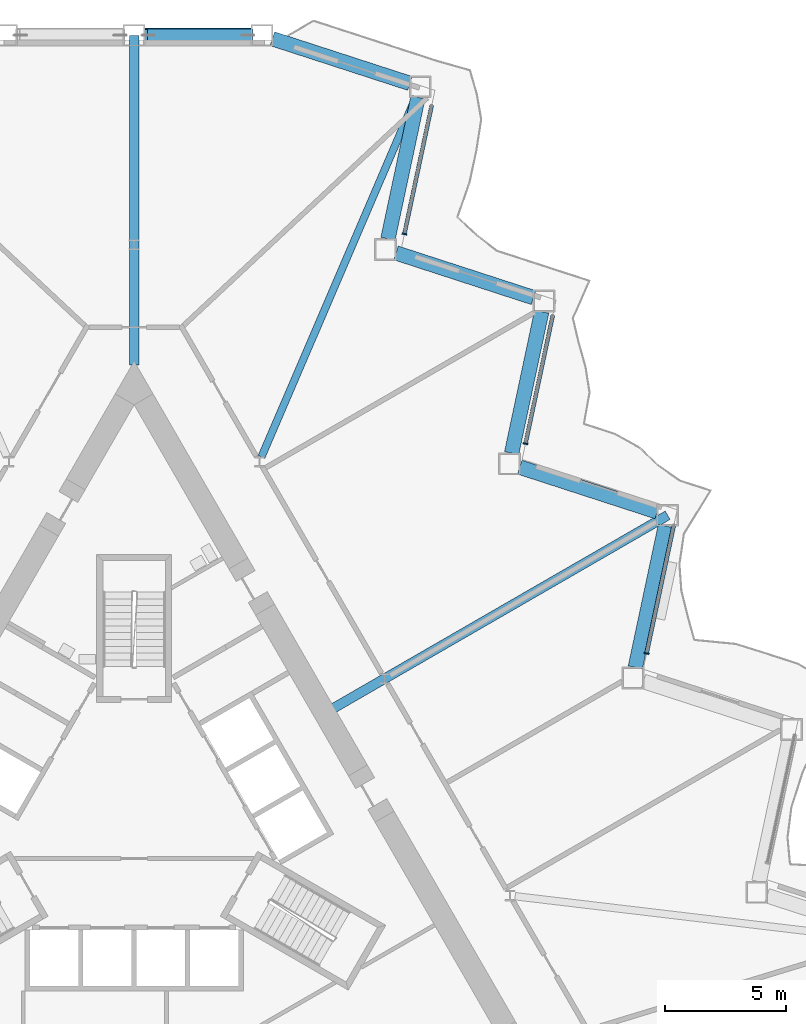
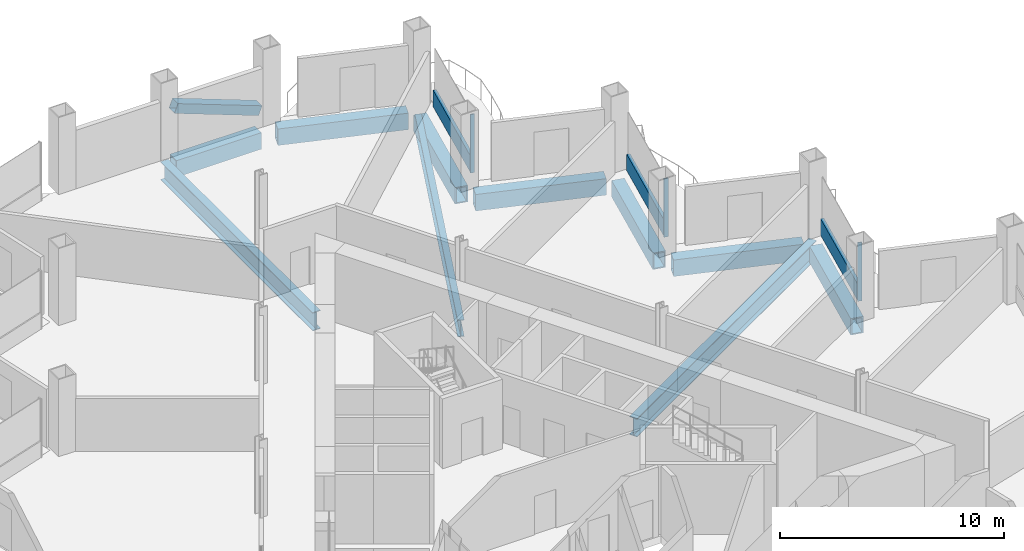
# One storey, part 8 of 21: 9 members, 8 beams, 3 elements without a shape of their own.
"""IFC4 building model written with IfcOpenShell, lengths in metres."""

import ifcopenshell
import ifcopenshell.guid

model = None  # the IFC model being written
_history = None  # IfcOwnerHistory: only IFC2X3 demands one
_inside = {}  # id of a spatial element -> (the spatial element, [elements in it])
_under = {}  # id of a project, library or spatial element -> (it, [spatial elements below it])
_declared = {}  # id of a project -> (the project, [libraries it declares])
_typed = {}  # id of a type object -> (the type object, [elements of that type])
_made_of = {}  # id of a material, layer set ... -> (it, [elements and type objects made of it])


def new_model(schema):
    """Start an empty IFC model of exactly this schema.

    Asked for "IFC4X3", IfcOpenShell would pick the latest addendum, in which some entities
    have other attributes; the version numbers below select the first issue.
    IFC2X3 requires an IfcOwnerHistory on every rooted entity: one is made here for all.
    """
    global model, _history
    if schema == "IFC4X3":
        model = ifcopenshell.file(schema_version=(4, 3, 0, 0))
    else:
        model = ifcopenshell.file(schema=schema)
    _inside.clear()
    _under.clear()
    _declared.clear()
    _typed.clear()
    _made_of.clear()
    _history = None
    if model.schema == "IFC2X3":
        org = make("IfcOrganization", Name="unknown")
        user = make(
            "IfcPersonAndOrganization",
            ThePerson=make("IfcPerson", FamilyName="unknown"),
            TheOrganization=org,
        )
        app = make(
            "IfcApplication",
            ApplicationDeveloper=org,
            Version="unknown",
            ApplicationFullName="unknown",
            ApplicationIdentifier="unknown",
        )
        _history = make(
            "IfcOwnerHistory",
            OwningUser=user,
            OwningApplication=app,
            ChangeAction="ADDED",
            CreationDate=0,
        )
    return model


def make(cls, **values):
    """One entity of the class cls with the attributes given. An attribute that is None is left unset."""
    return model.create_entity(
        cls, **{name: value for name, value in values.items() if value is not None}
    )


def rooted(cls, **values):
    """An entity with a GlobalId (a new one), such as an element, a storey or a relation."""
    return make(cls, GlobalId=ifcopenshell.guid.new(), OwnerHistory=_history, **values)


def si_unit(unit_type, name, prefix=None):
    """IfcSIUnit, for example si_unit("LENGTHUNIT", "METRE", prefix="MILLI")."""
    return make("IfcSIUnit", UnitType=unit_type, Prefix=prefix, Name=name)


def assignment(units):
    """IfcUnitAssignment: the units of a project."""
    return None if units is None else make("IfcUnitAssignment", Units=units)


def point(xyz):
    """IfcCartesianPoint."""
    return None if xyz is None else make("IfcCartesianPoint", Coordinates=xyz)


def direction(xyz):
    """IfcDirection."""
    return None if xyz is None else make("IfcDirection", DirectionRatios=xyz)


def frame(location, z_axis=None, x_axis=None):
    """IfcAxis2Placement3D, a coordinate frame: its origin and axes. An axis left out is left unset."""
    return make(
        "IfcAxis2Placement3D",
        Location=point(location),
        Axis=direction(z_axis),
        RefDirection=direction(x_axis),
    )


def frame_2d(location, x_axis=None):
    """IfcAxis2Placement2D, a coordinate frame in the plane: its origin and x axis."""
    return make(
        "IfcAxis2Placement2D", Location=point(location), RefDirection=direction(x_axis)
    )


def origin():
    """The frame at (0, 0, 0) with its axes left unset."""
    return frame((0.0, 0.0, 0.0))


def origin_2d():
    """The frame at (0, 0) in the plane with its x axis left unset."""
    return frame_2d((0.0, 0.0))


def place(relative_to, where):
    """IfcLocalPlacement: puts the frame where relative to a parent placement (None: the world)."""
    return make(
        "IfcLocalPlacement", PlacementRelTo=relative_to, RelativePlacement=where
    )


def context(
    kind, dimensions, precision=None, world=None, true_north=None, identifier=None
):
    """IfcGeometricRepresentationContext, for example the 3D "Model" context."""
    return make(
        "IfcGeometricRepresentationContext",
        ContextIdentifier=identifier,
        ContextType=kind,
        CoordinateSpaceDimension=dimensions,
        Precision=precision,
        WorldCoordinateSystem=world,
        TrueNorth=true_north,
    )


def subcontext(parent, identifier, kind, view, scale=None):
    """IfcGeometricRepresentationSubContext, for example "Body" below "Model"."""
    return make(
        "IfcGeometricRepresentationSubContext",
        ContextIdentifier=identifier,
        ContextType=kind,
        ParentContext=parent,
        TargetScale=scale,
        TargetView=view,
    )


def project(units=None, contexts=None):
    """IfcProject with its units and contexts."""
    return rooted(
        "IfcProject",
        Name="project",
        RepresentationContexts=contexts,
        UnitsInContext=assignment(units),
    )


def spatial(cls, under=None, at=None, **own):
    """A site, building, storey or space (cls), placed at a placement, below another one or the project."""
    s = rooted(cls, ObjectPlacement=at, **own)
    if under is not None:
        _under.setdefault(under.id(), (under, []))[1].append(s)
    return s


def profile(cls, at=None, kind="AREA", **sizes):
    """A parametric profile (cls). Its sizes go by their IFC names, for example OverallWidth=200.0."""
    return make(cls, ProfileType=kind, Position=at, **sizes)


def rectangle(**sizes):
    """IfcRectangleProfileDef."""
    return profile("IfcRectangleProfileDef", **sizes)


def hollow_rectangle(**sizes):
    """IfcRectangleHollowProfileDef."""
    return profile("IfcRectangleHollowProfileDef", **sizes)


def i_section(**sizes):
    """IfcIShapeProfileDef."""
    return profile("IfcIShapeProfileDef", **sizes)


def extrude(swept, where, along, depth):
    """IfcExtrudedAreaSolid: the profile swept, set in the frame where, extruded along a direction by depth."""
    return make(
        "IfcExtrudedAreaSolid",
        SweptArea=swept,
        Position=where,
        ExtrudedDirection=direction(along),
        Depth=depth,
    )


def shape(context_of_items, identifier, shape_type, items):
    """IfcShapeRepresentation: the items that make up one representation, for example the "Body"."""
    return make(
        "IfcShapeRepresentation",
        ContextOfItems=context_of_items,
        RepresentationIdentifier=identifier,
        RepresentationType=shape_type,
        Items=items,
    )


def material(Name=None, Category=None):
    """IfcMaterial."""
    return make("IfcMaterial", Name=Name, Category=Category)


def layer(
    of_material, thickness, ventilated=None, Name=None, Category=None, Priority=None
):
    """IfcMaterialLayer: one layer of a wall or slab, of a material (None: an air gap)."""
    return make(
        "IfcMaterialLayer",
        Material=of_material,
        LayerThickness=thickness,
        IsVentilated=ventilated,
        Name=Name,
        Category=Category,
        Priority=Priority,
    )


def layer_set(layers, Name=None):
    """IfcMaterialLayerSet."""
    return make("IfcMaterialLayerSet", MaterialLayers=layers, LayerSetName=Name)


def material_profile(
    of_material, cross_section, Name=None, Category=None, Priority=None
):
    """IfcMaterialProfile: a cross section and its material."""
    return make(
        "IfcMaterialProfile",
        Name=Name,
        Material=of_material,
        Profile=cross_section,
        Priority=Priority,
        Category=Category,
    )


def profile_set(profiles, Name=None, composite=None):
    """IfcMaterialProfileSet."""
    return make(
        "IfcMaterialProfileSet",
        Name=Name,
        MaterialProfiles=profiles,
        CompositeProfile=composite,
    )


def made_of(thing, what):
    """Note that an element or type object is made of a material, layer set ...; save() writes the relation."""
    if what is not None:
        _made_of.setdefault(what.id(), (what, []))[1].append(thing)
    return thing


def type_object(cls, material=None, **own):
    """A type object (cls), such as IfcWallType, which elements share."""
    return made_of(rooted(cls, **own), material)


def element(
    cls,
    number,
    at=None,
    inside=None,
    cuts=None,
    type_object=None,
    material=None,
    context=None,
    identifier="Body",
    shape_type=None,
    held_by="IfcProductDefinitionShape",
    body=None,
    shapes=None,
    **own,
):
    """One element of the class cls, such as IfcWall. Its Tag is "e" and its number.

    at: its placement. inside: the storey or other place that contains it. cuts: it is an
    opening in that element (IfcRelVoidsElement). A single representation is given by context,
    identifier, shape_type and body (its items); several are given by shapes. held_by: the class
    of the entity that holds the representations. save() writes the other relations.
    """
    e = rooted(cls, Tag="e%d" % number, ObjectPlacement=at, **own)
    if body is not None:
        shapes = [shape(context, identifier, shape_type, body)]
    if shapes is not None:
        e.Representation = make(held_by, Representations=shapes)
    if inside is not None:
        _inside.setdefault(inside.id(), (inside, []))[1].append(e)
    if cuts is not None:
        rooted(
            "IfcRelVoidsElement", RelatingBuildingElement=cuts, RelatedOpeningElement=e
        )
    if type_object is not None:
        _typed.setdefault(type_object.id(), (type_object, []))[1].append(e)
    return made_of(e, material)


def aggregate(whole, parts):
    """IfcRelAggregates: a whole, such as a stair, and the parts it consists of."""
    return rooted("IfcRelAggregates", RelatingObject=whole, RelatedObjects=parts)


def save(model, path):
    """Write the relations noted so far, then the file.

    IfcRelAggregates (storeys below a building ...), IfcRelContainedInSpatialStructure (elements
    in a storey), IfcRelDefinesByType, IfcRelAssociatesMaterial and IfcRelDeclares: one each for
    every whole, place, type object, material and project.
    """
    for whole, parts in _under.values():
        aggregate(whole, parts)
    for where, things in _inside.values():
        rooted(
            "IfcRelContainedInSpatialStructure",
            RelatedElements=things,
            RelatingStructure=where,
        )
    for kind, things in _typed.values():
        rooted("IfcRelDefinesByType", RelatedObjects=things, RelatingType=kind)
    for what, things in _made_of.values():
        rooted("IfcRelAssociatesMaterial", RelatedObjects=things, RelatingMaterial=what)
    for by, libraries in _declared.values():
        rooted("IfcRelDeclares", RelatingContext=by, RelatedDefinitions=libraries)
    model.write(path)


model = new_model("IFC4")

# Units and contexts
model_context = context("Model", 3, precision=1e-05, world=origin(), true_north=direction((0.0, 1.0)))
body_context = subcontext(model_context, "Body", "Model", "MODEL_VIEW")
ifc_project = project(units=[si_unit("LENGTHUNIT", "METRE"), si_unit("AREAUNIT", "SQUARE_METRE"), si_unit("VOLUMEUNIT", "CUBIC_METRE"), si_unit("PLANEANGLEUNIT", "RADIAN"), si_unit("MASSUNIT", "GRAM", prefix="KILO")], contexts=[model_context])

# Site, building, storey
site_placement = place(None, origin())
site = spatial("IfcSite", under=ifc_project, at=site_placement, CompositionType="ELEMENT")
building_placement = place(site_placement, origin())
building = spatial("IfcBuilding", under=site, at=building_placement, Name="Cormorant Prow Tower", CompositionType="ELEMENT")
storey_placement = place(building_placement, frame((0.0, 0.0, 99.60009765625)))
storey = spatial("IfcBuildingStorey", under=building, at=storey_placement, Name="L20", CompositionType="ELEMENT", Elevation=99.60009765625)

# Beams
ifc_material_1 = material(Name="Structural steel ASTM A572 Gr 50", Category="steel")
ifc_material_profile_1 = material_profile(ifc_material_1, hollow_rectangle(XDim=0.60009765625, YDim=0.89990234375, WallThickness=0.06005859375, at=origin_2d()), Name="Box 900x600x60")
ifc_profile_set_1 = profile_set([ifc_material_profile_1], Name="Structural steel ASTM A572 Gr 50")
beam_type_1 = type_object("IfcBeamType", Name="Belt truss top chord 900x600x60", PredefinedType="BEAM", material=ifc_profile_set_1)
beam_1_placement = place(storey_placement, frame((20.6630859375, 6.427001953125, -0.85009765625), z_axis=(0.207912620873, 0.978147403044, 0.0), x_axis=(-0.978147403044, 0.207912620873, 0.0)))
element("IfcBeam", 1, at=beam_1_placement, inside=storey, type_object=beam_type_1, Name="Belt truss top chord TC2 ENE04-ENE05 L20", PredefinedType="BEAM", context=body_context, shape_type="SweptSolid", body=[
    extrude(hollow_rectangle(XDim=0.60009765625, YDim=0.89990234375, WallThickness=0.06005859375, at=origin_2d()), origin(), (0.0, 0.0, 1.0), 5.962890625),
])
for number, where, z_axis, x_axis, name in (
    (2, (21.568359375, 12.838623046875, -0.85009765625), (-0.951059340519, 0.309008302174, 0.0), (-0.309008302174, -0.951059340519, 0.0), "Belt truss top chord TC2 ENE05-ENE06 L20"),
    (3, (15.56298828125, 15.260498046875, -0.85009765625), (0.207920947907, 0.978145633033, 0.0), (-0.978145633033, 0.207920947907, 0.0), "Belt truss top chord TC2 ENE06-ENE07 L20"),
):
    element("IfcBeam", number, at=place(storey_placement, frame(where, z_axis=z_axis, x_axis=x_axis)), inside=storey, type_object=beam_type_1, Name=name, PredefinedType="BEAM", context=body_context, shape_type="SweptSolid", body=[
        extrude(hollow_rectangle(XDim=0.60009765625, YDim=0.89990234375, WallThickness=0.06005859375, at=origin_2d()), origin(), (0.0, 0.0, 1.0), 5.962646484375),
    ])
beam_2_placement = place(storey_placement, frame((16.468505859375, 21.671875, -0.85009765625), z_axis=(-0.95104730696, 0.309045336358, 0.0), x_axis=(-0.309045336358, -0.95104730696, 0.0)))
element("IfcBeam", 4, at=beam_2_placement, inside=storey, type_object=beam_type_1, Name="Belt truss top chord TC2 ENE07-ENE08 L20", PredefinedType="BEAM", context=body_context, shape_type="SweptSolid", body=[
    extrude(hollow_rectangle(XDim=0.60009765625, YDim=0.89990234375, WallThickness=0.06005859375, at=origin_2d()), origin(), (0.0, 0.0, 1.0), 5.962890625),
])
beam_3_placement = place(storey_placement, frame((10.463134765625, 24.09375, -0.85009765625), z_axis=(0.207920947907, 0.978145633033, 0.0), x_axis=(-0.978145633033, 0.207920947907, 0.0)))
element("IfcBeam", 5, at=beam_3_placement, inside=storey, type_object=beam_type_1, Name="Belt truss top chord TC2 ENE08-ENE09 L20", PredefinedType="BEAM", context=body_context, shape_type="SweptSolid", body=[
    extrude(hollow_rectangle(XDim=0.60009765625, YDim=0.89990234375, WallThickness=0.06005859375, at=origin_2d()), origin(), (0.0, 0.0, 1.0), 5.962646484375),
])
beam_4_placement = place(storey_placement, frame((11.368408203125, 30.50537109375, -0.85009765625), z_axis=(-0.951055430656, 0.309020335608, 0.0), x_axis=(-0.309020335608, -0.951055430656, 0.0)))
element("IfcBeam", 6, at=beam_4_placement, inside=storey, type_object=beam_type_1, Name="Belt truss top chord TC2 ENE09-N00 L20", PredefinedType="BEAM", context=body_context, shape_type="SweptSolid", body=[
    extrude(hollow_rectangle(XDim=0.60009765625, YDim=0.89990234375, WallThickness=0.06005859375, at=origin_2d()), origin(), (0.0, 0.0, 1.0), 5.96240234375),
])
beam_5_placement = place(storey_placement, frame((4.819580078125, 32.487060546875, -0.85009765625), z_axis=(-1.0, 0.0, 0.0), x_axis=(0.0, -1.0, 0.0)))
element("IfcBeam", 7, at=beam_5_placement, inside=storey, type_object=beam_type_1, Name="Belt truss top chord TC2 N00-N01 L20", PredefinedType="BEAM", context=body_context, shape_type="SweptSolid", body=[
    extrude(hollow_rectangle(XDim=0.60009765625, YDim=0.89990234375, WallThickness=0.06005859375, at=origin_2d()), origin(), (0.0, 0.0, 1.0), 4.36962890625),
])

# Member
ifc_material_2 = material(Name="Structural steel ASTM A500 Gr C", Category="steel")
ifc_material_profile_2 = material_profile(ifc_material_2, hollow_rectangle(XDim=0.508056640625, YDim=0.508056640625, WallThickness=0.014892578125, at=origin_2d()), Name="HSS20x20x5/8")
ifc_profile_set_2 = profile_set([ifc_material_profile_2], Name="Structural steel ASTM A500 Gr C")
member_type_1 = type_object("IfcMemberType", Name="Chamfer brace HSS20x20x5/8", PredefinedType="BRACE", material=ifc_profile_set_2)
member_1_placement = place(storey_placement, frame((4.8017578125, 32.487060546875, 0.7763671875), z_axis=(-0.935564597435, 0.0, 0.3531556088), x_axis=(0.0, -1.0, 0.0)))
element("IfcMember", 8, at=member_1_placement, inside=storey, type_object=member_type_1, Name="Chamfer brace BR1 at N00 L20", PredefinedType="BRACE", context=body_context, shape_type="SweptSolid", body=[
    extrude(hollow_rectangle(XDim=0.508056640625, YDim=0.508056640625, WallThickness=0.014892578125, at=origin_2d()), origin(), (0.0, 0.0, 1.0), 4.632568359375),
])

# Curtain wall, member
ifc_material_3 = material(Name="Aluminium 6063-T6", Category="aluminium")
ifc_layer = layer(ifc_material_3, 0.199951171875)
ifc_layer_set = layer_set([ifc_layer], Name="Aluminium 6063-T6")
curtain_wall_type = type_object("IfcCurtainWallType", Name="Office unitised curtain wall 200", PredefinedType="NOTDEFINED", material=ifc_layer_set)
curtain_wall_1_placement = place(storey_placement, origin())
curtain_wall_1 = element("IfcCurtainWall", 9, at=curtain_wall_1_placement, inside=storey, type_object=curtain_wall_type, Name="Office curtain wall ENE04", PredefinedType="NOTDEFINED")
ifc_material_4 = material(Name="Aluminium 6063-T6", Category="aluminium")
ifc_material_profile_3 = material_profile(ifc_material_4, rectangle(XDim=0.199951171875, YDim=0.06005859375, at=origin_2d()), Name="Office mullion 60x200")
ifc_profile_set_3 = profile_set([ifc_material_profile_3], Name="Aluminium 6063-T6")
member_type_2 = type_object("IfcMemberType", Name="Office mullion 60x200", PredefinedType="MULLION", material=ifc_profile_set_3)
member_2_placement = place(storey_placement, frame((21.128662109375, 7.005126953125, 0.0), z_axis=(0.0, 0.0, 1.0), x_axis=(-0.978147583933, 0.207911769861, 0.0)))
member_2 = element("IfcMember", 10, at=member_2_placement, type_object=member_type_2, Name="Office mullion ENE04", PredefinedType="MULLION", context=body_context, shape_type="SweptSolid", body=[
    extrude(rectangle(XDim=0.199951171875, YDim=0.06005859375, at=origin_2d()), origin(), (0.0, 0.0, 1.0), 3.188720703125),
])

curtain_wall_2_placement = place(storey_placement, origin())
curtain_wall_2 = element("IfcCurtainWall", 11, at=curtain_wall_2_placement, inside=storey, type_object=curtain_wall_type, Name="Office curtain wall ENE06", PredefinedType="NOTDEFINED")
member_3_placement = place(storey_placement, frame((16.135986328125, 15.652587890625, 0.0), z_axis=(0.0, 0.0, 1.0), x_axis=(-0.978147583933, 0.207911769861, 0.0)))
member_3 = element("IfcMember", 12, at=member_3_placement, type_object=member_type_2, Name="Office mullion ENE06", PredefinedType="MULLION", context=body_context, shape_type="SweptSolid", body=[
    extrude(rectangle(XDim=0.199951171875, YDim=0.06005859375, at=origin_2d()), origin(), (0.0, 0.0, 1.0), 3.188720703125),
])

curtain_wall_3_placement = place(storey_placement, origin())
curtain_wall_3 = element("IfcCurtainWall", 13, at=curtain_wall_3_placement, inside=storey, type_object=curtain_wall_type, Name="Office curtain wall ENE08", PredefinedType="NOTDEFINED")
member_4_placement = place(storey_placement, frame((11.143310546875, 24.30029296875, 0.0), z_axis=(0.0, 0.0, 1.0), x_axis=(-0.978147583933, 0.207911769861, 0.0)))
member_4 = element("IfcMember", 14, at=member_4_placement, type_object=member_type_2, Name="Office mullion ENE08", PredefinedType="MULLION", context=body_context, shape_type="SweptSolid", body=[
    extrude(rectangle(XDim=0.199951171875, YDim=0.06005859375, at=origin_2d()), origin(), (0.0, 0.0, 1.0), 3.188720703125),
])

# Member
ifc_material_5 = material(Name="Terracotta", Category="masonry")
ifc_material_profile_4 = material_profile(ifc_material_5, rectangle(XDim=0.159912109375, YDim=0.89990234375, at=origin_2d()), Name="Office terracotta spandrel rail 160x900")
ifc_profile_set_4 = profile_set([ifc_material_profile_4], Name="Terracotta")
member_type_3 = type_object("IfcMemberType", Name="Office terracotta spandrel rail 160x900", PredefinedType="USERDEFINED", material=ifc_profile_set_4)
member_5_placement = place(storey_placement, frame((21.135009765625, 7.034423828125, 0.449951171875), z_axis=(0.207912965778, 0.978147329732, 0.0), x_axis=(-0.978147329732, 0.207912965778, 0.0)))
member_5 = element("IfcMember", 15, at=member_5_placement, type_object=member_type_3, Name="Office spandrel rail ENE04", ObjectType="TRANSOM", PredefinedType="USERDEFINED", context=body_context, shape_type="SweptSolid", body=[
    extrude(rectangle(XDim=0.159912109375, YDim=0.89990234375, at=origin_2d()), origin(), (0.0, 0.0, 1.0), 5.38623046875),
])

aggregate(curtain_wall_1, [member_2, member_5])

member_6_placement = place(storey_placement, frame((16.142333984375, 15.68212890625, 0.449951171875), z_axis=(0.207912965778, 0.978147329732, 0.0), x_axis=(-0.978147329732, 0.207912965778, 0.0)))
member_6 = element("IfcMember", 16, at=member_6_placement, type_object=member_type_3, Name="Office spandrel rail ENE06", ObjectType="TRANSOM", PredefinedType="USERDEFINED", context=body_context, shape_type="SweptSolid", body=[
    extrude(rectangle(XDim=0.159912109375, YDim=0.89990234375, at=origin_2d()), origin(), (0.0, 0.0, 1.0), 5.38623046875),
])

aggregate(curtain_wall_2, [member_3, member_6])

member_7_placement = place(storey_placement, frame((11.149658203125, 24.32958984375, 0.449951171875), z_axis=(0.207912965778, 0.978147329732, 0.0), x_axis=(-0.978147329732, 0.207912965778, 0.0)))
member_7 = element("IfcMember", 17, at=member_7_placement, type_object=member_type_3, Name="Office spandrel rail ENE08", ObjectType="TRANSOM", PredefinedType="USERDEFINED", context=body_context, shape_type="SweptSolid", body=[
    extrude(rectangle(XDim=0.159912109375, YDim=0.89990234375, at=origin_2d()), origin(), (0.0, 0.0, 1.0), 5.38623046875),
])

aggregate(curtain_wall_3, [member_4, member_7])

# Members
ifc_material_6 = material(Name="Structural steel ASTM A992 Gr 50", Category="steel")
ifc_material_profile_5 = material_profile(ifc_material_6, i_section(OverallWidth=0.39990234375, OverallDepth=1.000244140625, WebThickness=0.01904296875, FlangeThickness=0.0361328125, at=origin_2d()), Name="W40x249")
ifc_profile_set_5 = profile_set([ifc_material_profile_5], Name="Structural steel ASTM A992 Gr 50")
member_type_4 = type_object("IfcMemberType", Name="Outrigger chord W40x249", PredefinedType="CHORD", material=ifc_profile_set_5)
member_8_placement = place(storey_placement, frame((0.0, 18.902587890625, -0.900146484375), z_axis=(0.0, 1.0, 0.0), x_axis=(-1.0, 0.0, 0.0)))
element("IfcMember", 18, at=member_8_placement, inside=storey, type_object=member_type_4, Name="Outrigger top chord 1 L20", PredefinedType="CHORD", context=body_context, shape_type="SweptSolid", body=[
    extrude(i_section(OverallWidth=0.39990234375, OverallDepth=1.000244140625, WebThickness=0.01904296875, FlangeThickness=0.0361328125, at=origin_2d()), origin(), (0.0, 0.0, 1.0), 13.58447265625),
])
member_9_placement = place(storey_placement, frame((8.1201171875, 4.688232421875, -0.900146484375), z_axis=(0.866031059742, 0.499990203466, 0.0), x_axis=(-0.499990203466, 0.866031059742, 0.0)))
element("IfcMember", 19, at=member_9_placement, inside=storey, type_object=member_type_4, Name="Outrigger top chord 6 L20", PredefinedType="CHORD", context=body_context, shape_type="SweptSolid", body=[
    extrude(i_section(OverallWidth=0.39990234375, OverallDepth=1.000244140625, WebThickness=0.01904296875, FlangeThickness=0.0361328125, at=origin_2d()), origin(), (0.0, 0.0, 1.0), 16.022705078125),
])

# Beam
ifc_material_7 = material(Name="Structural steel ASTM A992 Gr 50", Category="steel")
ifc_material_profile_6 = material_profile(ifc_material_7, i_section(OverallWidth=0.3046875, OverallDepth=0.914794921875, WebThickness=0.0166015625, FlangeThickness=0.02587890625, at=origin_2d()), Name="W36x160")
ifc_profile_set_6 = profile_set([ifc_material_profile_6], Name="Structural steel ASTM A992 Gr 50")
beam_type_2 = type_object("IfcBeamType", Name="Radial floor beam W36x160", PredefinedType="BEAM", material=ifc_profile_set_6)
beam_6_placement = place(storey_placement, frame((5.25, 15.107666015625, -0.857421875), z_axis=(0.394273140268, 0.918993302948, 0.0), x_axis=(-0.918993302948, 0.394273140268, 0.0)))
element("IfcBeam", 20, at=beam_6_placement, inside=storey, type_object=beam_type_2, Name="Radial floor beam FB1 12 L20", PredefinedType="BEAM", context=body_context, shape_type="SweptSolid", body=[
    extrude(i_section(OverallWidth=0.3046875, OverallDepth=0.914794921875, WebThickness=0.0166015625, FlangeThickness=0.02587890625, at=origin_2d()), origin(), (0.0, 0.0, 1.0), 16.153564453125),
])

save(model, "model.ifc")
